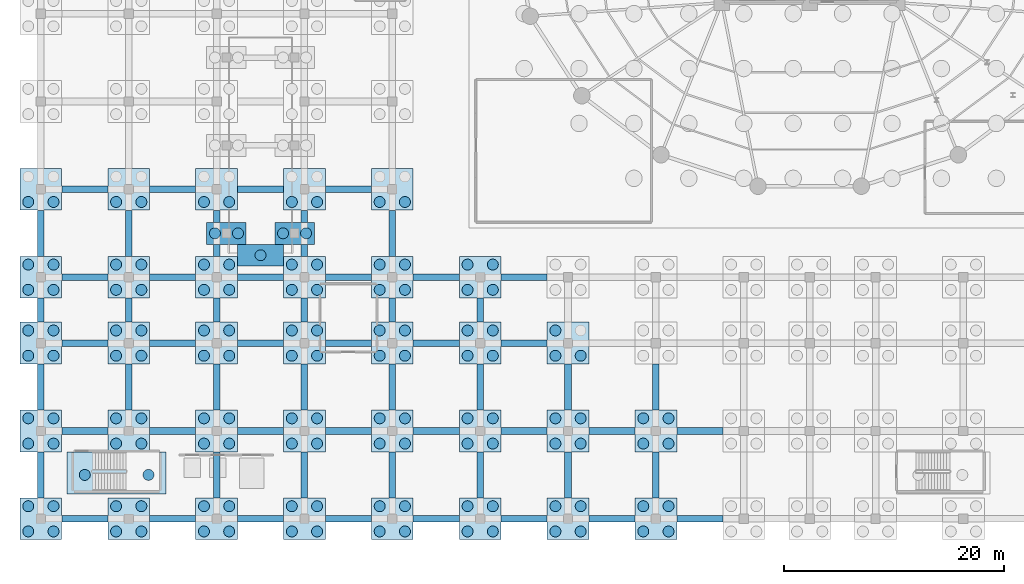
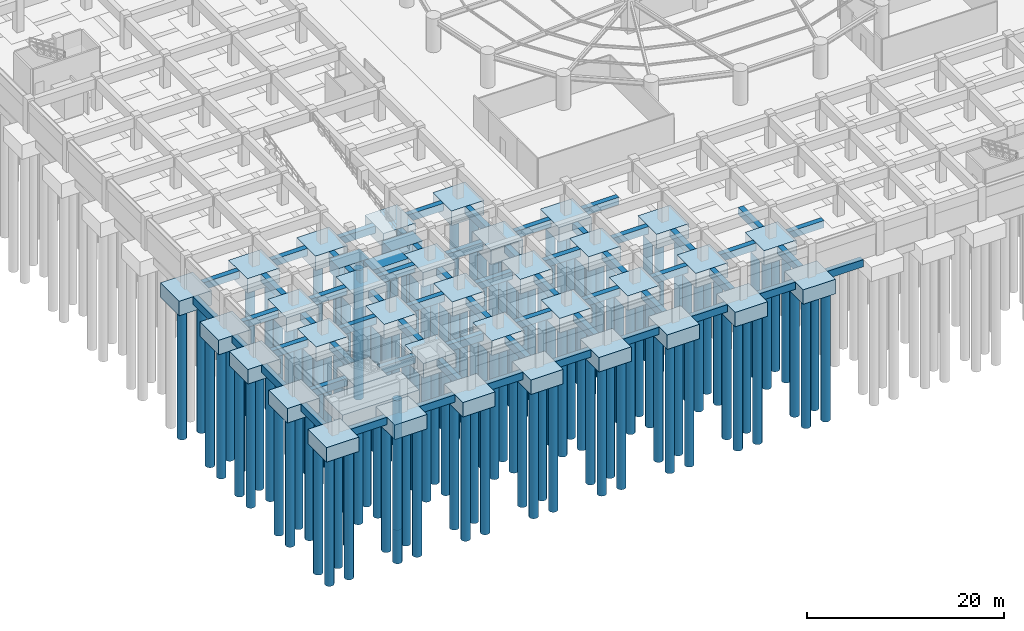
# One storey, part 1 of 23: 132 piles, 98 footings.
"""IFC4 building model written with IfcOpenShell, lengths in metres."""

import ifcopenshell
import ifcopenshell.guid

model = None  # the IFC model being written
_history = None  # IfcOwnerHistory: only IFC2X3 demands one
_inside = {}  # id of a spatial element -> (the spatial element, [elements in it])
_under = {}  # id of a project, library or spatial element -> (it, [spatial elements below it])
_declared = {}  # id of a project -> (the project, [libraries it declares])
_typed = {}  # id of a type object -> (the type object, [elements of that type])
_made_of = {}  # id of a material, layer set ... -> (it, [elements and type objects made of it])


def new_model(schema):
    """Start an empty IFC model of exactly this schema.

    Asked for "IFC4X3", IfcOpenShell would pick the latest addendum, in which some entities
    have other attributes; the version numbers below select the first issue.
    IFC2X3 requires an IfcOwnerHistory on every rooted entity: one is made here for all.
    """
    global model, _history
    if schema == "IFC4X3":
        model = ifcopenshell.file(schema_version=(4, 3, 0, 0))
    else:
        model = ifcopenshell.file(schema=schema)
    _inside.clear()
    _under.clear()
    _declared.clear()
    _typed.clear()
    _made_of.clear()
    _history = None
    if model.schema == "IFC2X3":
        org = make("IfcOrganization", Name="unknown")
        user = make(
            "IfcPersonAndOrganization",
            ThePerson=make("IfcPerson", FamilyName="unknown"),
            TheOrganization=org,
        )
        app = make(
            "IfcApplication",
            ApplicationDeveloper=org,
            Version="unknown",
            ApplicationFullName="unknown",
            ApplicationIdentifier="unknown",
        )
        _history = make(
            "IfcOwnerHistory",
            OwningUser=user,
            OwningApplication=app,
            ChangeAction="ADDED",
            CreationDate=0,
        )
    return model


def make(cls, **values):
    """One entity of the class cls with the attributes given. An attribute that is None is left unset."""
    return model.create_entity(
        cls, **{name: value for name, value in values.items() if value is not None}
    )


def rooted(cls, **values):
    """An entity with a GlobalId (a new one), such as an element, a storey or a relation."""
    return make(cls, GlobalId=ifcopenshell.guid.new(), OwnerHistory=_history, **values)


def si_unit(unit_type, name, prefix=None):
    """IfcSIUnit, for example si_unit("LENGTHUNIT", "METRE", prefix="MILLI")."""
    return make("IfcSIUnit", UnitType=unit_type, Prefix=prefix, Name=name)


def assignment(units):
    """IfcUnitAssignment: the units of a project."""
    return None if units is None else make("IfcUnitAssignment", Units=units)


def point(xyz):
    """IfcCartesianPoint."""
    return None if xyz is None else make("IfcCartesianPoint", Coordinates=xyz)


def direction(xyz):
    """IfcDirection."""
    return None if xyz is None else make("IfcDirection", DirectionRatios=xyz)


def frame(location, z_axis=None, x_axis=None):
    """IfcAxis2Placement3D, a coordinate frame: its origin and axes. An axis left out is left unset."""
    return make(
        "IfcAxis2Placement3D",
        Location=point(location),
        Axis=direction(z_axis),
        RefDirection=direction(x_axis),
    )


def frame_2d(location, x_axis=None):
    """IfcAxis2Placement2D, a coordinate frame in the plane: its origin and x axis."""
    return make(
        "IfcAxis2Placement2D", Location=point(location), RefDirection=direction(x_axis)
    )


def origin():
    """The frame at (0, 0, 0) with its axes left unset."""
    return frame((0.0, 0.0, 0.0))


def origin_2d():
    """The frame at (0, 0) in the plane with its x axis left unset."""
    return frame_2d((0.0, 0.0))


def place(relative_to, where):
    """IfcLocalPlacement: puts the frame where relative to a parent placement (None: the world)."""
    return make(
        "IfcLocalPlacement", PlacementRelTo=relative_to, RelativePlacement=where
    )


def context(
    kind, dimensions, precision=None, world=None, true_north=None, identifier=None
):
    """IfcGeometricRepresentationContext, for example the 3D "Model" context."""
    return make(
        "IfcGeometricRepresentationContext",
        ContextIdentifier=identifier,
        ContextType=kind,
        CoordinateSpaceDimension=dimensions,
        Precision=precision,
        WorldCoordinateSystem=world,
        TrueNorth=true_north,
    )


def subcontext(parent, identifier, kind, view, scale=None):
    """IfcGeometricRepresentationSubContext, for example "Body" below "Model"."""
    return make(
        "IfcGeometricRepresentationSubContext",
        ContextIdentifier=identifier,
        ContextType=kind,
        ParentContext=parent,
        TargetScale=scale,
        TargetView=view,
    )


def project(units=None, contexts=None):
    """IfcProject with its units and contexts."""
    return rooted(
        "IfcProject",
        Name="project",
        RepresentationContexts=contexts,
        UnitsInContext=assignment(units),
    )


def spatial(cls, under=None, at=None, **own):
    """A site, building, storey or space (cls), placed at a placement, below another one or the project."""
    s = rooted(cls, ObjectPlacement=at, **own)
    if under is not None:
        _under.setdefault(under.id(), (under, []))[1].append(s)
    return s


def profile(cls, at=None, kind="AREA", **sizes):
    """A parametric profile (cls). Its sizes go by their IFC names, for example OverallWidth=200.0."""
    return make(cls, ProfileType=kind, Position=at, **sizes)


def rectangle(**sizes):
    """IfcRectangleProfileDef."""
    return profile("IfcRectangleProfileDef", **sizes)


def circle(**sizes):
    """IfcCircleProfileDef."""
    return profile("IfcCircleProfileDef", **sizes)


def extrude(swept, where, along, depth):
    """IfcExtrudedAreaSolid: the profile swept, set in the frame where, extruded along a direction by depth."""
    return make(
        "IfcExtrudedAreaSolid",
        SweptArea=swept,
        Position=where,
        ExtrudedDirection=direction(along),
        Depth=depth,
    )


def shape(context_of_items, identifier, shape_type, items):
    """IfcShapeRepresentation: the items that make up one representation, for example the "Body"."""
    return make(
        "IfcShapeRepresentation",
        ContextOfItems=context_of_items,
        RepresentationIdentifier=identifier,
        RepresentationType=shape_type,
        Items=items,
    )


def source(mapping_origin, context_of_items, identifier, shape_type, items):
    """IfcRepresentationMap: a shape defined once, which mapped items show again and again."""
    return make(
        "IfcRepresentationMap",
        MappingOrigin=mapping_origin,
        MappedRepresentation=shape(context_of_items, identifier, shape_type, items),
    )


def transform(
    local_origin,
    x_axis=None,
    y_axis=None,
    z_axis=None,
    scale=None,
    scale2=None,
    scale3=None,
    uniform=True,
):
    """IfcCartesianTransformationOperator3D, or its non-uniform kind. x_axis, y_axis, z_axis: its Axis1, 2, 3."""
    if uniform:
        return make(
            "IfcCartesianTransformationOperator3D",
            Axis1=direction(x_axis),
            Axis2=direction(y_axis),
            LocalOrigin=point(local_origin),
            Scale=scale,
            Axis3=direction(z_axis),
        )
    return make(
        "IfcCartesianTransformationOperator3DnonUniform",
        Axis1=direction(x_axis),
        Axis2=direction(y_axis),
        LocalOrigin=point(local_origin),
        Scale=scale,
        Axis3=direction(z_axis),
        Scale2=scale2,
        Scale3=scale3,
    )


def mapped(mapping_source, mapping_target):
    """IfcMappedItem: shows the shape of a source again, moved by a transform."""
    return make(
        "IfcMappedItem", MappingSource=mapping_source, MappingTarget=mapping_target
    )


def material(Name=None, Category=None):
    """IfcMaterial."""
    return make("IfcMaterial", Name=Name, Category=Category)


def material_profile(
    of_material, cross_section, Name=None, Category=None, Priority=None
):
    """IfcMaterialProfile: a cross section and its material."""
    return make(
        "IfcMaterialProfile",
        Name=Name,
        Material=of_material,
        Profile=cross_section,
        Priority=Priority,
        Category=Category,
    )


def profile_set(profiles, Name=None, composite=None):
    """IfcMaterialProfileSet."""
    return make(
        "IfcMaterialProfileSet",
        Name=Name,
        MaterialProfiles=profiles,
        CompositeProfile=composite,
    )


def made_of(thing, what):
    """Note that an element or type object is made of a material, layer set ...; save() writes the relation."""
    if what is not None:
        _made_of.setdefault(what.id(), (what, []))[1].append(thing)
    return thing


def type_object(cls, material=None, **own):
    """A type object (cls), such as IfcWallType, which elements share."""
    return made_of(rooted(cls, **own), material)


def element(
    cls,
    number,
    at=None,
    inside=None,
    cuts=None,
    type_object=None,
    material=None,
    context=None,
    identifier="Body",
    shape_type=None,
    held_by="IfcProductDefinitionShape",
    body=None,
    shapes=None,
    **own,
):
    """One element of the class cls, such as IfcWall. Its Tag is "e" and its number.

    at: its placement. inside: the storey or other place that contains it. cuts: it is an
    opening in that element (IfcRelVoidsElement). A single representation is given by context,
    identifier, shape_type and body (its items); several are given by shapes. held_by: the class
    of the entity that holds the representations. save() writes the other relations.
    """
    e = rooted(cls, Tag="e%d" % number, ObjectPlacement=at, **own)
    if body is not None:
        shapes = [shape(context, identifier, shape_type, body)]
    if shapes is not None:
        e.Representation = make(held_by, Representations=shapes)
    if inside is not None:
        _inside.setdefault(inside.id(), (inside, []))[1].append(e)
    if cuts is not None:
        rooted(
            "IfcRelVoidsElement", RelatingBuildingElement=cuts, RelatedOpeningElement=e
        )
    if type_object is not None:
        _typed.setdefault(type_object.id(), (type_object, []))[1].append(e)
    return made_of(e, material)


def aggregate(whole, parts):
    """IfcRelAggregates: a whole, such as a stair, and the parts it consists of."""
    return rooted("IfcRelAggregates", RelatingObject=whole, RelatedObjects=parts)


def save(model, path):
    """Write the relations noted so far, then the file.

    IfcRelAggregates (storeys below a building ...), IfcRelContainedInSpatialStructure (elements
    in a storey), IfcRelDefinesByType, IfcRelAssociatesMaterial and IfcRelDeclares: one each for
    every whole, place, type object, material and project.
    """
    for whole, parts in _under.values():
        aggregate(whole, parts)
    for where, things in _inside.values():
        rooted(
            "IfcRelContainedInSpatialStructure",
            RelatedElements=things,
            RelatingStructure=where,
        )
    for kind, things in _typed.values():
        rooted("IfcRelDefinesByType", RelatedObjects=things, RelatingType=kind)
    for what, things in _made_of.values():
        rooted("IfcRelAssociatesMaterial", RelatedObjects=things, RelatingMaterial=what)
    for by, libraries in _declared.values():
        rooted("IfcRelDeclares", RelatingContext=by, RelatedDefinitions=libraries)
    model.write(path)


model = new_model("IFC4")

# Units and contexts
model_context = context("Model", 3, precision=1e-05, world=origin(), true_north=direction((0.0, 1.0)))
body_context = subcontext(model_context, "Body", "Model", "MODEL_VIEW")
ifc_project = project(units=[si_unit("LENGTHUNIT", "METRE"), si_unit("AREAUNIT", "SQUARE_METRE"), si_unit("VOLUMEUNIT", "CUBIC_METRE"), si_unit("PLANEANGLEUNIT", "RADIAN"), si_unit("MASSUNIT", "GRAM", prefix="KILO")], contexts=[model_context])

# Site, building, storey
site_placement = place(None, origin())
site = spatial("IfcSite", under=ifc_project, at=site_placement, CompositionType="ELEMENT")
building_placement = place(site_placement, origin())
building = spatial("IfcBuilding", under=site, at=building_placement, Name="Kelanora Arch Commons", CompositionType="ELEMENT")
storey_placement = place(building_placement, frame((0.0, 0.0, -8.39990234375)))
storey = spatial("IfcBuildingStorey", under=building, at=storey_placement, Name="B02", CompositionType="ELEMENT", Elevation=-8.39990234375)

# Footings
ifc_material_1 = material(Name="Concrete C40/50", Category="concrete")
footing_type_1 = type_object("IfcFootingType", Name="FTG-MKT-CAP4", PredefinedType="PILE_CAP", material=ifc_material_1)
shared_shape_1 = source(origin(), body_context, "Body", "SweptSolid", [
    extrude(rectangle(XDim=3.800048828125, YDim=3.800048828125, at=origin_2d()), origin(), (0.0, 0.0, 1.0), 1.800048828125),
])
for number, where, z_axis, x_axis, name in (
    (1, (4.0, 4.0, -1.80029296875), (0.0, 0.0, 1.0), (1.0, 0.0, 0.0), "Pile Cap 1-A"),
    (2, (4.0, 12.0, -1.80029296875), (0.0, 0.0, 1.0), (1.0, 0.0, 0.0), "Pile Cap 1-B"),
    (3, (4.0, 20.0, -1.80029296875), (0.0, 0.0, 1.0), (1.0, 0.0, 0.0), "Pile Cap 1-C"),
    (4, (4.0, 26.0, -1.80029296875), (0.0, 0.0, 1.0), (1.0, 0.0, 0.0), "Pile Cap 1-D"),
    (5, (4.0, 34.0, -1.80029296875), (0.0, 0.0, 1.0), (1.0, 0.0, 0.0), "Pile Cap 1-E"),
    (6, (12.0, 4.0, -1.80029296875), (0.0, 0.0, 1.0), (1.0, 0.0, 0.0), "Pile Cap 2-A"),
    (7, (12.0, 12.0, -1.80029296875), (0.0, 0.0, 1.0), (1.0, 0.0, 0.0), "Pile Cap 2-B"),
    (8, (12.0, 20.0, -1.80029296875), (0.0, 0.0, 1.0), (1.0, 0.0, 0.0), "Pile Cap 2-C"),
    (9, (12.0, 26.0, -1.80029296875), (0.0, 0.0, 1.0), (1.0, 0.0, 0.0), "Pile Cap 2-D"),
    (10, (12.0, 34.0, -1.80029296875), (0.0, 0.0, 1.0), (1.0, 0.0, 0.0), "Pile Cap 2-E"),
    (11, (20.0, 4.0, -1.80029296875), (0.0, 0.0, 1.0), (1.0, 0.0, 0.0), "Pile Cap 3-A"),
    (12, (20.0, 12.0, -1.80029296875), (0.0, 0.0, 1.0), (1.0, 0.0, 0.0), "Pile Cap 3-B"),
    (13, (20.0, 20.0, -1.80029296875), (0.0, 0.0, 1.0), (1.0, 0.0, 0.0), "Pile Cap 3-C"),
    (14, (20.0, 26.0, -1.80029296875), (0.0, 0.0, 1.0), (1.0, 0.0, 0.0), "Pile Cap 3-D"),
    (15, (20.0, 34.0, -1.80029296875), (0.0, 0.0, 1.0), (1.0, 0.0, 0.0), "Pile Cap 3-E"),
    (16, (28.0, 4.0, -1.80029296875), (0.0, 0.0, 1.0), (1.0, 0.0, 0.0), "Pile Cap 4-A"),
    (17, (28.0, 12.0, -1.80029296875), (0.0, 0.0, 1.0), (1.0, 0.0, 0.0), "Pile Cap 4-B"),
    (18, (28.0, 20.0, -1.80029296875), (0.0, 0.0, 1.0), (1.0, 0.0, 0.0), "Pile Cap 4-C"),
    (19, (28.0, 26.0, -1.80029296875), (0.0, 0.0, 1.0), (1.0, 0.0, 0.0), "Pile Cap 4-D"),
    (20, (28.0, 34.0, -1.80029296875), (0.0, 0.0, 1.0), (1.0, 0.0, 0.0), "Pile Cap 4-E"),
    (21, (36.0, 4.0, -1.80029296875), (0.0, 0.0, 1.0), (1.0, 0.0, 0.0), "Pile Cap 5-A"),
    (22, (36.0, 12.0, -1.80029296875), (0.0, 0.0, 1.0), (1.0, 0.0, 0.0), "Pile Cap 5-B"),
    (23, (36.0, 20.0, -1.80029296875), (0.0, 0.0, 1.0), (1.0, 0.0, 0.0), "Pile Cap 5-C"),
    (24, (36.0, 26.0, -1.80029296875), (0.0, 0.0, 1.0), (1.0, 0.0, 0.0), "Pile Cap 5-D"),
    (25, (36.0, 34.0, -1.80029296875), (0.0, 0.0, 1.0), (1.0, 0.0, 0.0), "Pile Cap 5-E"),
    (26, (44.0, 4.0, -1.80029296875), (0.0, 0.0, 1.0), (1.0, 0.0, 0.0), "Pile Cap 6-A"),
    (27, (44.0, 12.0, -1.80029296875), (0.0, 0.0, 1.0), (1.0, 0.0, 0.0), "Pile Cap 6-B"),
    (28, (44.0, 20.0, -1.80029296875), (0.0, 0.0, 1.0), (1.0, 0.0, 0.0), "Pile Cap 6-C"),
    (29, (44.0, 26.0, -1.80029296875), (0.0, 0.0, 1.0), (1.0, 0.0, 0.0), "Pile Cap 6-D"),
    (30, (52.0, 4.0, -1.80029296875), (0.0, 0.0, 1.0), (1.0, 0.0, 0.0), "Pile Cap 7-A"),
    (31, (52.0, 12.0, -1.80029296875), (0.0, 0.0, 1.0), (1.0, 0.0, 0.0), "Pile Cap 7-B"),
    (32, (52.0, 20.0, -1.80029296875), (0.0, 0.0, 1.0), (1.0, 0.0, 0.0), "Pile Cap 7-C"),
    (33, (60.0, 4.0, -1.80029296875), (0.0, 0.0, 1.0), (1.0, 0.0, 0.0), "Pile Cap 8-A"),
    (34, (60.0, 12.0, -1.80029296875), (0.0, 0.0, 1.0), (1.0, 0.0, 0.0), "Pile Cap 8-B"),
):
    element("IfcFooting", number, at=place(storey_placement, frame(where, z_axis=z_axis, x_axis=x_axis)), inside=storey, type_object=footing_type_1, Name=name, PredefinedType="PILE_CAP", context=body_context, shape_type="MappedRepresentation", body=[
        mapped(shared_shape_1, transform((0.0, 0.0, 0.0), scale=1.0)),
    ])

# Piles
ifc_material_2 = material(Name="Concrete C45/55", Category="concrete")
ifc_material_profile = material_profile(ifc_material_2, circle(Radius=0.5, at=origin_2d()), Name="PILE1000")
ifc_profile_set = profile_set([ifc_material_profile], Name="Concrete C45/55")
pile_type = type_object("IfcPileType", Name="PILE-MKT-1000", PredefinedType="BORED", material=ifc_profile_set)
shared_shape_2 = source(origin(), body_context, "Body", "SweptSolid", [
    extrude(circle(Radius=0.5, at=origin_2d()), origin(), (0.0, 0.0, 1.0), 15.89990234375),
])
for number, where, z_axis, x_axis, name in (
    (35, (2.85009765625, 2.85009765625, -1.7001953125), (0.0, 0.0, -1.0), (1.0, 0.0, 0.0), "Market Bored Pile 1-A-1"),
    (36, (5.14990234375, 2.85009765625, -1.7001953125), (0.0, 0.0, -1.0), (1.0, 0.0, 0.0), "Market Bored Pile 1-A-2"),
    (37, (5.14990234375, 5.14990234375, -1.7001953125), (0.0, 0.0, -1.0), (1.0, 0.0, 0.0), "Market Bored Pile 1-A-3"),
    (38, (2.85009765625, 5.14990234375, -1.7001953125), (0.0, 0.0, -1.0), (1.0, 0.0, 0.0), "Market Bored Pile 1-A-4"),
    (39, (2.85009765625, 10.85009765625, -1.7001953125), (0.0, 0.0, -1.0), (1.0, 0.0, 0.0), "Market Bored Pile 1-B-1"),
    (40, (5.14990234375, 10.85009765625, -1.7001953125), (0.0, 0.0, -1.0), (1.0, 0.0, 0.0), "Market Bored Pile 1-B-2"),
    (41, (5.14990234375, 13.14990234375, -1.7001953125), (0.0, 0.0, -1.0), (1.0, 0.0, 0.0), "Market Bored Pile 1-B-3"),
    (42, (2.85009765625, 13.14990234375, -1.7001953125), (0.0, 0.0, -1.0), (1.0, 0.0, 0.0), "Market Bored Pile 1-B-4"),
    (43, (2.85009765625, 18.85009765625, -1.7001953125), (0.0, 0.0, -1.0), (1.0, 0.0, 0.0), "Market Bored Pile 1-C-1"),
    (44, (5.14990234375, 18.85009765625, -1.7001953125), (0.0, 0.0, -1.0), (1.0, 0.0, 0.0), "Market Bored Pile 1-C-2"),
    (45, (5.14990234375, 21.14990234375, -1.7001953125), (0.0, 0.0, -1.0), (1.0, 0.0, 0.0), "Market Bored Pile 1-C-3"),
    (46, (2.85009765625, 21.14990234375, -1.7001953125), (0.0, 0.0, -1.0), (1.0, 0.0, 0.0), "Market Bored Pile 1-C-4"),
    (47, (2.85009765625, 24.85009765625, -1.7001953125), (0.0, 0.0, -1.0), (1.0, 0.0, 0.0), "Market Bored Pile 1-D-1"),
    (48, (5.14990234375, 24.85009765625, -1.7001953125), (0.0, 0.0, -1.0), (1.0, 0.0, 0.0), "Market Bored Pile 1-D-2"),
    (49, (5.14990234375, 27.14990234375, -1.7001953125), (0.0, 0.0, -1.0), (1.0, 0.0, 0.0), "Market Bored Pile 1-D-3"),
    (50, (2.85009765625, 27.14990234375, -1.7001953125), (0.0, 0.0, -1.0), (1.0, 0.0, 0.0), "Market Bored Pile 1-D-4"),
    (51, (2.85009765625, 32.85009765625, -1.7001953125), (0.0, 0.0, -1.0), (1.0, 0.0, 0.0), "Market Bored Pile 1-E-1"),
    (52, (5.14990234375, 32.85009765625, -1.7001953125), (0.0, 0.0, -1.0), (1.0, 0.0, 0.0), "Market Bored Pile 1-E-2"),
    (53, (10.85009765625, 2.85009765625, -1.7001953125), (0.0, 0.0, -1.0), (1.0, 0.0, 0.0), "Market Bored Pile 2-A-1"),
    (54, (13.14990234375, 2.85009765625, -1.7001953125), (0.0, 0.0, -1.0), (1.0, 0.0, 0.0), "Market Bored Pile 2-A-2"),
    (55, (13.14990234375, 5.14990234375, -1.7001953125), (0.0, 0.0, -1.0), (1.0, 0.0, 0.0), "Market Bored Pile 2-A-3"),
    (56, (10.85009765625, 5.14990234375, -1.7001953125), (0.0, 0.0, -1.0), (1.0, 0.0, 0.0), "Market Bored Pile 2-A-4"),
    (57, (10.85009765625, 10.85009765625, -1.7001953125), (0.0, 0.0, -1.0), (1.0, 0.0, 0.0), "Market Bored Pile 2-B-1"),
    (58, (13.14990234375, 10.85009765625, -1.7001953125), (0.0, 0.0, -1.0), (1.0, 0.0, 0.0), "Market Bored Pile 2-B-2"),
    (59, (13.14990234375, 13.14990234375, -1.7001953125), (0.0, 0.0, -1.0), (1.0, 0.0, 0.0), "Market Bored Pile 2-B-3"),
    (60, (10.85009765625, 13.14990234375, -1.7001953125), (0.0, 0.0, -1.0), (1.0, 0.0, 0.0), "Market Bored Pile 2-B-4"),
    (61, (10.85009765625, 18.85009765625, -1.7001953125), (0.0, 0.0, -1.0), (1.0, 0.0, 0.0), "Market Bored Pile 2-C-1"),
    (62, (13.14990234375, 18.85009765625, -1.7001953125), (0.0, 0.0, -1.0), (1.0, 0.0, 0.0), "Market Bored Pile 2-C-2"),
    (63, (13.14990234375, 21.14990234375, -1.7001953125), (0.0, 0.0, -1.0), (1.0, 0.0, 0.0), "Market Bored Pile 2-C-3"),
    (64, (10.85009765625, 21.14990234375, -1.7001953125), (0.0, 0.0, -1.0), (1.0, 0.0, 0.0), "Market Bored Pile 2-C-4"),
    (65, (10.85009765625, 24.85009765625, -1.7001953125), (0.0, 0.0, -1.0), (1.0, 0.0, 0.0), "Market Bored Pile 2-D-1"),
    (66, (13.14990234375, 24.85009765625, -1.7001953125), (0.0, 0.0, -1.0), (1.0, 0.0, 0.0), "Market Bored Pile 2-D-2"),
    (67, (13.14990234375, 27.14990234375, -1.7001953125), (0.0, 0.0, -1.0), (1.0, 0.0, 0.0), "Market Bored Pile 2-D-3"),
    (68, (10.85009765625, 27.14990234375, -1.7001953125), (0.0, 0.0, -1.0), (1.0, 0.0, 0.0), "Market Bored Pile 2-D-4"),
    (69, (10.85009765625, 32.85009765625, -1.7001953125), (0.0, 0.0, -1.0), (1.0, 0.0, 0.0), "Market Bored Pile 2-E-1"),
    (70, (13.14990234375, 32.85009765625, -1.7001953125), (0.0, 0.0, -1.0), (1.0, 0.0, 0.0), "Market Bored Pile 2-E-2"),
    (71, (18.85009765625, 2.85009765625, -1.7001953125), (0.0, 0.0, -1.0), (1.0, 0.0, 0.0), "Market Bored Pile 3-A-1"),
    (72, (21.14990234375, 2.85009765625, -1.7001953125), (0.0, 0.0, -1.0), (1.0, 0.0, 0.0), "Market Bored Pile 3-A-2"),
    (73, (21.14990234375, 5.14990234375, -1.7001953125), (0.0, 0.0, -1.0), (1.0, 0.0, 0.0), "Market Bored Pile 3-A-3"),
    (74, (18.85009765625, 5.14990234375, -1.7001953125), (0.0, 0.0, -1.0), (1.0, 0.0, 0.0), "Market Bored Pile 3-A-4"),
    (75, (18.85009765625, 10.85009765625, -1.7001953125), (0.0, 0.0, -1.0), (1.0, 0.0, 0.0), "Market Bored Pile 3-B-1"),
    (76, (21.14990234375, 10.85009765625, -1.7001953125), (0.0, 0.0, -1.0), (1.0, 0.0, 0.0), "Market Bored Pile 3-B-2"),
    (77, (21.14990234375, 13.14990234375, -1.7001953125), (0.0, 0.0, -1.0), (1.0, 0.0, 0.0), "Market Bored Pile 3-B-3"),
    (78, (18.85009765625, 13.14990234375, -1.7001953125), (0.0, 0.0, -1.0), (1.0, 0.0, 0.0), "Market Bored Pile 3-B-4"),
    (79, (18.85009765625, 18.85009765625, -1.7001953125), (0.0, 0.0, -1.0), (1.0, 0.0, 0.0), "Market Bored Pile 3-C-1"),
    (80, (21.14990234375, 18.85009765625, -1.7001953125), (0.0, 0.0, -1.0), (1.0, 0.0, 0.0), "Market Bored Pile 3-C-2"),
    (81, (21.14990234375, 21.14990234375, -1.7001953125), (0.0, 0.0, -1.0), (1.0, 0.0, 0.0), "Market Bored Pile 3-C-3"),
    (82, (18.85009765625, 21.14990234375, -1.7001953125), (0.0, 0.0, -1.0), (1.0, 0.0, 0.0), "Market Bored Pile 3-C-4"),
    (83, (18.85009765625, 24.85009765625, -1.7001953125), (0.0, 0.0, -1.0), (1.0, 0.0, 0.0), "Market Bored Pile 3-D-1"),
    (84, (21.14990234375, 24.85009765625, -1.7001953125), (0.0, 0.0, -1.0), (1.0, 0.0, 0.0), "Market Bored Pile 3-D-2"),
    (85, (21.14990234375, 27.14990234375, -1.7001953125), (0.0, 0.0, -1.0), (1.0, 0.0, 0.0), "Market Bored Pile 3-D-3"),
    (86, (18.85009765625, 27.14990234375, -1.7001953125), (0.0, 0.0, -1.0), (1.0, 0.0, 0.0), "Market Bored Pile 3-D-4"),
    (87, (18.85009765625, 32.85009765625, -1.7001953125), (0.0, 0.0, -1.0), (1.0, 0.0, 0.0), "Market Bored Pile 3-E-1"),
    (88, (21.14990234375, 32.85009765625, -1.7001953125), (0.0, 0.0, -1.0), (1.0, 0.0, 0.0), "Market Bored Pile 3-E-2"),
    (89, (26.85009765625, 2.85009765625, -1.7001953125), (0.0, 0.0, -1.0), (1.0, 0.0, 0.0), "Market Bored Pile 4-A-1"),
    (90, (29.14990234375, 2.85009765625, -1.7001953125), (0.0, 0.0, -1.0), (1.0, 0.0, 0.0), "Market Bored Pile 4-A-2"),
    (91, (29.14990234375, 5.14990234375, -1.7001953125), (0.0, 0.0, -1.0), (1.0, 0.0, 0.0), "Market Bored Pile 4-A-3"),
    (92, (26.85009765625, 5.14990234375, -1.7001953125), (0.0, 0.0, -1.0), (1.0, 0.0, 0.0), "Market Bored Pile 4-A-4"),
    (93, (26.85009765625, 10.85009765625, -1.7001953125), (0.0, 0.0, -1.0), (1.0, 0.0, 0.0), "Market Bored Pile 4-B-1"),
    (94, (29.14990234375, 10.85009765625, -1.7001953125), (0.0, 0.0, -1.0), (1.0, 0.0, 0.0), "Market Bored Pile 4-B-2"),
    (95, (29.14990234375, 13.14990234375, -1.7001953125), (0.0, 0.0, -1.0), (1.0, 0.0, 0.0), "Market Bored Pile 4-B-3"),
    (96, (26.85009765625, 13.14990234375, -1.7001953125), (0.0, 0.0, -1.0), (1.0, 0.0, 0.0), "Market Bored Pile 4-B-4"),
    (97, (26.85009765625, 18.85009765625, -1.7001953125), (0.0, 0.0, -1.0), (1.0, 0.0, 0.0), "Market Bored Pile 4-C-1"),
    (98, (29.14990234375, 18.85009765625, -1.7001953125), (0.0, 0.0, -1.0), (1.0, 0.0, 0.0), "Market Bored Pile 4-C-2"),
    (99, (29.14990234375, 21.14990234375, -1.7001953125), (0.0, 0.0, -1.0), (1.0, 0.0, 0.0), "Market Bored Pile 4-C-3"),
    (100, (26.85009765625, 21.14990234375, -1.7001953125), (0.0, 0.0, -1.0), (1.0, 0.0, 0.0), "Market Bored Pile 4-C-4"),
    (101, (26.85009765625, 24.85009765625, -1.7001953125), (0.0, 0.0, -1.0), (1.0, 0.0, 0.0), "Market Bored Pile 4-D-1"),
    (102, (29.14990234375, 24.85009765625, -1.7001953125), (0.0, 0.0, -1.0), (1.0, 0.0, 0.0), "Market Bored Pile 4-D-2"),
    (103, (29.14990234375, 27.14990234375, -1.7001953125), (0.0, 0.0, -1.0), (1.0, 0.0, 0.0), "Market Bored Pile 4-D-3"),
    (104, (26.85009765625, 27.14990234375, -1.7001953125), (0.0, 0.0, -1.0), (1.0, 0.0, 0.0), "Market Bored Pile 4-D-4"),
    (105, (26.85009765625, 32.85009765625, -1.7001953125), (0.0, 0.0, -1.0), (1.0, 0.0, 0.0), "Market Bored Pile 4-E-1"),
    (106, (29.14990234375, 32.85009765625, -1.7001953125), (0.0, 0.0, -1.0), (1.0, 0.0, 0.0), "Market Bored Pile 4-E-2"),
    (107, (34.85009765625, 2.85009765625, -1.7001953125), (0.0, 0.0, -1.0), (1.0, 0.0, 0.0), "Market Bored Pile 5-A-1"),
    (108, (37.14990234375, 2.85009765625, -1.7001953125), (0.0, 0.0, -1.0), (1.0, 0.0, 0.0), "Market Bored Pile 5-A-2"),
    (109, (37.14990234375, 5.14990234375, -1.7001953125), (0.0, 0.0, -1.0), (1.0, 0.0, 0.0), "Market Bored Pile 5-A-3"),
    (110, (34.85009765625, 5.14990234375, -1.7001953125), (0.0, 0.0, -1.0), (1.0, 0.0, 0.0), "Market Bored Pile 5-A-4"),
    (111, (34.85009765625, 10.85009765625, -1.7001953125), (0.0, 0.0, -1.0), (1.0, 0.0, 0.0), "Market Bored Pile 5-B-1"),
    (112, (37.14990234375, 10.85009765625, -1.7001953125), (0.0, 0.0, -1.0), (1.0, 0.0, 0.0), "Market Bored Pile 5-B-2"),
    (113, (37.14990234375, 13.14990234375, -1.7001953125), (0.0, 0.0, -1.0), (1.0, 0.0, 0.0), "Market Bored Pile 5-B-3"),
    (114, (34.85009765625, 13.14990234375, -1.7001953125), (0.0, 0.0, -1.0), (1.0, 0.0, 0.0), "Market Bored Pile 5-B-4"),
    (115, (34.85009765625, 18.85009765625, -1.7001953125), (0.0, 0.0, -1.0), (1.0, 0.0, 0.0), "Market Bored Pile 5-C-1"),
    (116, (37.14990234375, 18.85009765625, -1.7001953125), (0.0, 0.0, -1.0), (1.0, 0.0, 0.0), "Market Bored Pile 5-C-2"),
    (117, (37.14990234375, 21.14990234375, -1.7001953125), (0.0, 0.0, -1.0), (1.0, 0.0, 0.0), "Market Bored Pile 5-C-3"),
    (118, (34.85009765625, 21.14990234375, -1.7001953125), (0.0, 0.0, -1.0), (1.0, 0.0, 0.0), "Market Bored Pile 5-C-4"),
    (119, (34.85009765625, 24.85009765625, -1.7001953125), (0.0, 0.0, -1.0), (1.0, 0.0, 0.0), "Market Bored Pile 5-D-1"),
    (120, (37.14990234375, 24.85009765625, -1.7001953125), (0.0, 0.0, -1.0), (1.0, 0.0, 0.0), "Market Bored Pile 5-D-2"),
    (121, (37.14990234375, 27.14990234375, -1.7001953125), (0.0, 0.0, -1.0), (1.0, 0.0, 0.0), "Market Bored Pile 5-D-3"),
    (122, (34.85009765625, 27.14990234375, -1.7001953125), (0.0, 0.0, -1.0), (1.0, 0.0, 0.0), "Market Bored Pile 5-D-4"),
    (123, (34.85009765625, 32.85009765625, -1.7001953125), (0.0, 0.0, -1.0), (1.0, 0.0, 0.0), "Market Bored Pile 5-E-1"),
    (124, (37.14990234375, 32.85009765625, -1.7001953125), (0.0, 0.0, -1.0), (1.0, 0.0, 0.0), "Market Bored Pile 5-E-2"),
    (125, (42.85009765625, 2.85009765625, -1.7001953125), (0.0, 0.0, -1.0), (1.0, 0.0, 0.0), "Market Bored Pile 6-A-1"),
    (126, (45.14990234375, 2.85009765625, -1.7001953125), (0.0, 0.0, -1.0), (1.0, 0.0, 0.0), "Market Bored Pile 6-A-2"),
    (127, (45.14990234375, 5.14990234375, -1.7001953125), (0.0, 0.0, -1.0), (1.0, 0.0, 0.0), "Market Bored Pile 6-A-3"),
    (128, (42.85009765625, 5.14990234375, -1.7001953125), (0.0, 0.0, -1.0), (1.0, 0.0, 0.0), "Market Bored Pile 6-A-4"),
    (129, (42.85009765625, 10.85009765625, -1.7001953125), (0.0, 0.0, -1.0), (1.0, 0.0, 0.0), "Market Bored Pile 6-B-1"),
    (130, (45.14990234375, 10.85009765625, -1.7001953125), (0.0, 0.0, -1.0), (1.0, 0.0, 0.0), "Market Bored Pile 6-B-2"),
    (131, (45.14990234375, 13.14990234375, -1.7001953125), (0.0, 0.0, -1.0), (1.0, 0.0, 0.0), "Market Bored Pile 6-B-3"),
    (132, (42.85009765625, 13.14990234375, -1.7001953125), (0.0, 0.0, -1.0), (1.0, 0.0, 0.0), "Market Bored Pile 6-B-4"),
    (133, (42.85009765625, 18.85009765625, -1.7001953125), (0.0, 0.0, -1.0), (1.0, 0.0, 0.0), "Market Bored Pile 6-C-1"),
    (134, (45.14990234375, 18.85009765625, -1.7001953125), (0.0, 0.0, -1.0), (1.0, 0.0, 0.0), "Market Bored Pile 6-C-2"),
    (135, (45.14990234375, 21.14990234375, -1.7001953125), (0.0, 0.0, -1.0), (1.0, 0.0, 0.0), "Market Bored Pile 6-C-3"),
    (136, (42.85009765625, 21.14990234375, -1.7001953125), (0.0, 0.0, -1.0), (1.0, 0.0, 0.0), "Market Bored Pile 6-C-4"),
    (137, (42.85009765625, 24.85009765625, -1.7001953125), (0.0, 0.0, -1.0), (1.0, 0.0, 0.0), "Market Bored Pile 6-D-1"),
    (138, (45.14990234375, 24.85009765625, -1.7001953125), (0.0, 0.0, -1.0), (1.0, 0.0, 0.0), "Market Bored Pile 6-D-2"),
    (139, (45.14990234375, 27.14990234375, -1.7001953125), (0.0, 0.0, -1.0), (1.0, 0.0, 0.0), "Market Bored Pile 6-D-3"),
    (140, (42.85009765625, 27.14990234375, -1.7001953125), (0.0, 0.0, -1.0), (1.0, 0.0, 0.0), "Market Bored Pile 6-D-4"),
    (141, (50.85009765625, 2.85009765625, -1.7001953125), (0.0, 0.0, -1.0), (1.0, 0.0, 0.0), "Market Bored Pile 7-A-1"),
    (142, (53.14990234375, 2.85009765625, -1.7001953125), (0.0, 0.0, -1.0), (1.0, 0.0, 0.0), "Market Bored Pile 7-A-2"),
    (143, (53.14990234375, 5.14990234375, -1.7001953125), (0.0, 0.0, -1.0), (1.0, 0.0, 0.0), "Market Bored Pile 7-A-3"),
    (144, (50.85009765625, 5.14990234375, -1.7001953125), (0.0, 0.0, -1.0), (1.0, 0.0, 0.0), "Market Bored Pile 7-A-4"),
    (145, (50.85009765625, 10.85009765625, -1.7001953125), (0.0, 0.0, -1.0), (1.0, 0.0, 0.0), "Market Bored Pile 7-B-1"),
    (146, (53.14990234375, 10.85009765625, -1.7001953125), (0.0, 0.0, -1.0), (1.0, 0.0, 0.0), "Market Bored Pile 7-B-2"),
    (147, (53.14990234375, 13.14990234375, -1.7001953125), (0.0, 0.0, -1.0), (1.0, 0.0, 0.0), "Market Bored Pile 7-B-3"),
    (148, (50.85009765625, 13.14990234375, -1.7001953125), (0.0, 0.0, -1.0), (1.0, 0.0, 0.0), "Market Bored Pile 7-B-4"),
    (149, (50.85009765625, 18.85009765625, -1.7001953125), (0.0, 0.0, -1.0), (1.0, 0.0, 0.0), "Market Bored Pile 7-C-1"),
    (150, (53.14990234375, 18.85009765625, -1.7001953125), (0.0, 0.0, -1.0), (1.0, 0.0, 0.0), "Market Bored Pile 7-C-2"),
    (151, (50.85009765625, 21.14990234375, -1.7001953125), (0.0, 0.0, -1.0), (1.0, 0.0, 0.0), "Market Bored Pile 7-C-4"),
    (152, (58.85009765625, 2.85009765625, -1.7001953125), (0.0, 0.0, -1.0), (1.0, 0.0, 0.0), "Market Bored Pile 8-A-1"),
    (153, (61.14990234375, 2.85009765625, -1.7001953125), (0.0, 0.0, -1.0), (1.0, 0.0, 0.0), "Market Bored Pile 8-A-2"),
    (154, (61.14990234375, 5.14990234375, -1.7001953125), (0.0, 0.0, -1.0), (1.0, 0.0, 0.0), "Market Bored Pile 8-A-3"),
    (155, (58.85009765625, 5.14990234375, -1.7001953125), (0.0, 0.0, -1.0), (1.0, 0.0, 0.0), "Market Bored Pile 8-A-4"),
    (156, (58.85009765625, 10.85009765625, -1.7001953125), (0.0, 0.0, -1.0), (1.0, 0.0, 0.0), "Market Bored Pile 8-B-1"),
    (157, (61.14990234375, 10.85009765625, -1.7001953125), (0.0, 0.0, -1.0), (1.0, 0.0, 0.0), "Market Bored Pile 8-B-2"),
    (158, (61.14990234375, 13.14990234375, -1.7001953125), (0.0, 0.0, -1.0), (1.0, 0.0, 0.0), "Market Bored Pile 8-B-3"),
    (159, (58.85009765625, 13.14990234375, -1.7001953125), (0.0, 0.0, -1.0), (1.0, 0.0, 0.0), "Market Bored Pile 8-B-4"),
):
    element("IfcPile", number, at=place(storey_placement, frame(where, z_axis=z_axis, x_axis=x_axis)), inside=storey, type_object=pile_type, Name=name, PredefinedType="BORED", context=body_context, shape_type="MappedRepresentation", body=[
        mapped(shared_shape_2, transform((0.0, 0.0, 0.0), scale=1.0)),
    ])

# Footings
footing_type_2 = type_object("IfcFootingType", Name="FTG-MKT-CAP2", PredefinedType="PILE_CAP", material=ifc_material_1)
shared_shape_3 = source(origin(), body_context, "Body", "SweptSolid", [
    extrude(rectangle(XDim=3.60009765625, YDim=2.0, at=origin_2d()), origin(), (0.0, 0.0, 1.0), 1.60009765625),
])
for number, where, z_axis, x_axis, name in (
    (160, (20.89990234375, 30.0, -1.60009765625), (0.0, 0.0, 1.0), (1.0, 0.0, 0.0), "Vehicle Ramp Support Pile Cap SW"),
    (161, (27.10009765625, 30.0, -1.60009765625), (0.0, 0.0, 1.0), (1.0, 0.0, 0.0), "Vehicle Ramp Support Pile Cap SE"),
):
    element("IfcFooting", number, at=place(storey_placement, frame(where, z_axis=z_axis, x_axis=x_axis)), inside=storey, type_object=footing_type_2, Name=name, PredefinedType="PILE_CAP", context=body_context, shape_type="MappedRepresentation", body=[
        mapped(shared_shape_3, transform((0.0, 0.0, 0.0), scale=1.0)),
    ])

# Piles
shared_shape_4 = source(origin(), body_context, "Body", "SweptSolid", [
    extrude(circle(Radius=0.5, at=origin_2d()), origin(), (0.0, 0.0, 1.0), 16.10009765625),
])
for number, where, z_axis, x_axis, name in (
    (162, (19.85009765625, 30.0, -1.5), (0.0, 0.0, -1.0), (1.0, 0.0, 0.0), "Vehicle Ramp Bored Pile SW-1"),
    (163, (21.949951171875, 30.0, -1.5), (0.0, 0.0, -1.0), (1.0, 0.0, 0.0), "Vehicle Ramp Bored Pile SW-2"),
    (164, (26.050048828125, 30.0, -1.5), (0.0, 0.0, -1.0), (1.0, 0.0, 0.0), "Vehicle Ramp Bored Pile SE-1"),
    (165, (28.14990234375, 30.0, -1.5), (0.0, 0.0, -1.0), (1.0, 0.0, 0.0), "Vehicle Ramp Bored Pile SE-2"),
    (166, (8.0, 8.0, -1.5), (0.0, 0.0, -1.0), (1.0, 0.0, 0.0), "Strip Footing Bored Pile ST-M1-S-1"),
    (167, (13.800048828125, 8.0, -1.5), (0.0, 0.0, -1.0), (1.0, 0.0, 0.0), "Strip Footing Bored Pile ST-M1-S-2"),
    (168, (24.0, 28.0, -1.5), (0.0, 0.0, -1.0), (1.0, 0.0, 0.0), "Strip Footing Bored Pile VEH-RMP-1"),
):
    element("IfcPile", number, at=place(storey_placement, frame(where, z_axis=z_axis, x_axis=x_axis)), inside=storey, type_object=pile_type, Name=name, PredefinedType="BORED", context=body_context, shape_type="MappedRepresentation", body=[
        mapped(shared_shape_4, transform((0.0, 0.0, 0.0), scale=1.0)),
    ])

# Footings
footing_type_3 = type_object("IfcFootingType", Name="FTG-RET-STRIP", PredefinedType="STRIP_FOOTING", material=ifc_material_1)
shared_shape_5 = source(origin(), body_context, "Body", "SweptSolid", [
    extrude(rectangle(XDim=9.0, YDim=3.800048828125, at=origin_2d()), origin(), (0.0, 0.0, 1.0), 1.60009765625),
])
footing_1_placement = place(storey_placement, frame((10.89990234375, 8.179931640625, -1.60009765625), z_axis=(0.0, 0.0, 1.0), x_axis=(1.0, 0.0, 0.0)))
element("IfcFooting", 169, at=footing_1_placement, inside=storey, type_object=footing_type_3, Name="Ramp/Stair Strip Footing ST-M1-S", PredefinedType="STRIP_FOOTING", context=body_context, shape_type="MappedRepresentation", body=[
    mapped(shared_shape_5, transform((0.0, 0.0, 0.0), scale=1.0)),
])
shared_shape_6 = source(origin(), body_context, "Body", "SweptSolid", [
    extrude(rectangle(XDim=4.159912109375, YDim=1.9599609375, at=origin_2d()), origin(), (0.0, 0.0, 1.0), 1.60009765625),
])
footing_2_placement = place(storey_placement, frame((24.0, 28.0, -1.60009765625), z_axis=(0.0, 0.0, 1.0), x_axis=(1.0, 0.0, 0.0)))
element("IfcFooting", 170, at=footing_2_placement, inside=storey, type_object=footing_type_3, Name="Ramp/Stair Strip Footing VEH-RMP", PredefinedType="STRIP_FOOTING", context=body_context, shape_type="MappedRepresentation", body=[
    mapped(shared_shape_6, transform((0.0, 0.0, 0.0), scale=1.0)),
])
footing_type_4 = type_object("IfcFootingType", Name="FTG-TIE-BEAM", PredefinedType="FOOTING_BEAM", material=ifc_material_1)
shared_shape_7 = source(origin(), body_context, "Body", "SweptSolid", [
    extrude(rectangle(XDim=4.194091796875, YDim=0.60009765625, at=origin_2d()), origin(), (0.0, 0.0, 1.0), 0.89990234375),
])
for number, where, z_axis, x_axis, name in (
    (171, (8.0, 4.0, -0.900146484375), (0.0, 0.0, 1.0), (1.0, 0.0, 0.0), "Ground Tie Beam 001"),
    (172, (4.0, 8.0, -0.900146484375), (0.0, 0.0, 1.0), (0.0, 1.0, 0.0), "Ground Tie Beam 002"),
    (173, (8.0, 12.0, -0.900146484375), (0.0, 0.0, 1.0), (1.0, 0.0, 0.0), "Ground Tie Beam 003"),
    (174, (4.0, 16.0, -0.900146484375), (0.0, 0.0, 1.0), (0.0, 1.0, 0.0), "Ground Tie Beam 004"),
    (175, (8.0, 20.0, -0.900146484375), (0.0, 0.0, 1.0), (1.0, 0.0, 0.0), "Ground Tie Beam 005"),
    (176, (8.0, 26.0, -0.900146484375), (0.0, 0.0, 1.0), (1.0, 0.0, 0.0), "Ground Tie Beam 007"),
    (177, (4.0, 30.0, -0.900146484375), (0.0, 0.0, 1.0), (0.0, 1.0, 0.0), "Ground Tie Beam 008"),
    (178, (8.0, 34.0, -0.900146484375), (0.0, 0.0, 1.0), (1.0, 0.0, 0.0), "Ground Tie Beam 009"),
    (179, (16.0, 4.0, -0.900146484375), (0.0, 0.0, 1.0), (1.0, 0.0, 0.0), "Ground Tie Beam 024"),
    (180, (16.0, 12.0, -0.900146484375), (0.0, 0.0, 1.0), (1.0, 0.0, 0.0), "Ground Tie Beam 025"),
    (181, (12.0, 16.0, -0.900146484375), (0.0, 0.0, 1.0), (0.0, 1.0, 0.0), "Ground Tie Beam 026"),
    (182, (16.0, 20.0, -0.900146484375), (0.0, 0.0, 1.0), (1.0, 0.0, 0.0), "Ground Tie Beam 027"),
    (183, (16.0, 26.0, -0.900146484375), (0.0, 0.0, 1.0), (1.0, 0.0, 0.0), "Ground Tie Beam 029"),
    (184, (12.0, 30.0, -0.900146484375), (0.0, 0.0, 1.0), (0.0, 1.0, 0.0), "Ground Tie Beam 030"),
    (185, (16.0, 34.0, -0.900146484375), (0.0, 0.0, 1.0), (1.0, 0.0, 0.0), "Ground Tie Beam 031"),
    (186, (24.0, 4.0, -0.900146484375), (0.0, 0.0, 1.0), (1.0, 0.0, 0.0), "Ground Tie Beam 046"),
    (187, (20.0, 8.0, -0.900146484375), (0.0, 0.0, 1.0), (0.0, 1.0, 0.0), "Ground Tie Beam 047"),
    (188, (24.0, 12.0, -0.900146484375), (0.0, 0.0, 1.0), (1.0, 0.0, 0.0), "Ground Tie Beam 048"),
    (189, (20.0, 16.0, -0.900146484375), (0.0, 0.0, 1.0), (0.0, 1.0, 0.0), "Ground Tie Beam 049"),
    (190, (24.0, 20.0, -0.900146484375), (0.0, 0.0, 1.0), (1.0, 0.0, 0.0), "Ground Tie Beam 050"),
    (191, (24.0, 26.0, -0.900146484375), (0.0, 0.0, 1.0), (1.0, 0.0, 0.0), "Ground Tie Beam 052"),
    (192, (24.0, 34.0, -0.900146484375), (0.0, 0.0, 1.0), (1.0, 0.0, 0.0), "Ground Tie Beam 055"),
    (193, (32.0, 4.0, -0.900146484375), (0.0, 0.0, 1.0), (1.0, 0.0, 0.0), "Ground Tie Beam 072"),
    (194, (28.0, 8.0, -0.900146484375), (0.0, 0.0, 1.0), (0.0, 1.0, 0.0), "Ground Tie Beam 073"),
    (195, (32.0, 12.0, -0.900146484375), (0.0, 0.0, 1.0), (1.0, 0.0, 0.0), "Ground Tie Beam 074"),
    (196, (28.0, 16.0, -0.900146484375), (0.0, 0.0, 1.0), (0.0, 1.0, 0.0), "Ground Tie Beam 075"),
    (197, (32.0, 20.0, -0.900146484375), (0.0, 0.0, 1.0), (1.0, 0.0, 0.0), "Ground Tie Beam 076"),
    (198, (32.0, 26.0, -0.900146484375), (0.0, 0.0, 1.0), (1.0, 0.0, 0.0), "Ground Tie Beam 078"),
    (199, (32.0, 34.0, -0.900146484375), (0.0, 0.0, 1.0), (1.0, 0.0, 0.0), "Ground Tie Beam 081"),
    (200, (40.0, 4.0, -0.900146484375), (0.0, 0.0, 1.0), (1.0, 0.0, 0.0), "Ground Tie Beam 098"),
    (201, (36.0, 8.0, -0.900146484375), (0.0, 0.0, 1.0), (0.0, 1.0, 0.0), "Ground Tie Beam 099"),
    (202, (40.0, 12.0, -0.900146484375), (0.0, 0.0, 1.0), (1.0, 0.0, 0.0), "Ground Tie Beam 100"),
    (203, (36.0, 16.0, -0.900146484375), (0.0, 0.0, 1.0), (0.0, 1.0, 0.0), "Ground Tie Beam 101"),
    (204, (40.0, 20.0, -0.900146484375), (0.0, 0.0, 1.0), (1.0, 0.0, 0.0), "Ground Tie Beam 102"),
    (205, (40.0, 26.0, -0.900146484375), (0.0, 0.0, 1.0), (1.0, 0.0, 0.0), "Ground Tie Beam 104"),
    (206, (36.0, 30.0, -0.900146484375), (0.0, 0.0, 1.0), (0.0, 1.0, 0.0), "Ground Tie Beam 105"),
    (207, (48.0, 4.0, -0.900146484375), (0.0, 0.0, 1.0), (1.0, 0.0, 0.0), "Ground Tie Beam 114"),
    (208, (44.0, 8.0, -0.900146484375), (0.0, 0.0, 1.0), (0.0, 1.0, 0.0), "Ground Tie Beam 115"),
    (209, (48.0, 12.0, -0.900146484375), (0.0, 0.0, 1.0), (1.0, 0.0, 0.0), "Ground Tie Beam 116"),
    (210, (44.0, 16.0, -0.900146484375), (0.0, 0.0, 1.0), (0.0, 1.0, 0.0), "Ground Tie Beam 117"),
    (211, (48.0, 20.0, -0.900146484375), (0.0, 0.0, 1.0), (1.0, 0.0, 0.0), "Ground Tie Beam 118"),
    (212, (48.0, 26.0, -0.900146484375), (0.0, 0.0, 1.0), (1.0, 0.0, 0.0), "Ground Tie Beam 120"),
    (213, (56.0, 4.0, -0.900146484375), (0.0, 0.0, 1.0), (1.0, 0.0, 0.0), "Ground Tie Beam 122"),
    (214, (52.0, 8.0, -0.900146484375), (0.0, 0.0, 1.0), (0.0, 1.0, 0.0), "Ground Tie Beam 123"),
    (215, (56.0, 12.0, -0.900146484375), (0.0, 0.0, 1.0), (1.0, 0.0, 0.0), "Ground Tie Beam 124"),
    (216, (52.0, 16.0, -0.900146484375), (0.0, 0.0, 1.0), (0.0, 1.0, 0.0), "Ground Tie Beam 125"),
    (217, (64.0, 4.0, -0.900146484375), (0.0, 0.0, 1.0), (1.0, 0.0, 0.0), "Ground Tie Beam 130"),
    (218, (60.0, 8.0, -0.900146484375), (0.0, 0.0, 1.0), (0.0, 1.0, 0.0), "Ground Tie Beam 131"),
    (219, (64.0, 12.0, -0.900146484375), (0.0, 0.0, 1.0), (1.0, 0.0, 0.0), "Ground Tie Beam 132"),
    (220, (60.0, 16.0, -0.900146484375), (0.0, 0.0, 1.0), (0.0, 1.0, 0.0), "Ground Tie Beam 133"),
):
    element("IfcFooting", number, at=place(storey_placement, frame(where, z_axis=z_axis, x_axis=x_axis)), inside=storey, type_object=footing_type_4, Name=name, PredefinedType="FOOTING_BEAM", context=body_context, shape_type="MappedRepresentation", body=[
        mapped(shared_shape_7, transform((0.0, 0.0, 0.0), scale=1.0)),
    ])
shared_shape_8 = source(origin(), body_context, "Body", "SweptSolid", [
    extrude(rectangle(XDim=2.194091796875, YDim=0.60009765625, at=origin_2d()), origin(), (0.0, 0.0, 1.0), 0.89990234375),
])
for number, where, z_axis, x_axis, name in (
    (221, (4.0, 23.0, -0.900146484375), (0.0, 0.0, 1.0), (0.0, 1.0, 0.0), "Ground Tie Beam 006"),
    (222, (12.0, 23.0, -0.900146484375), (0.0, 0.0, 1.0), (0.0, 1.0, 0.0), "Ground Tie Beam 028"),
    (223, (20.0, 23.0, -0.900146484375), (0.0, 0.0, 1.0), (0.0, 1.0, 0.0), "Ground Tie Beam 051"),
    (224, (28.0, 23.0, -0.900146484375), (0.0, 0.0, 1.0), (0.0, 1.0, 0.0), "Ground Tie Beam 077"),
    (225, (36.0, 23.0, -0.900146484375), (0.0, 0.0, 1.0), (0.0, 1.0, 0.0), "Ground Tie Beam 103"),
    (226, (44.0, 23.0, -0.900146484375), (0.0, 0.0, 1.0), (0.0, 1.0, 0.0), "Ground Tie Beam 119"),
):
    element("IfcFooting", number, at=place(storey_placement, frame(where, z_axis=z_axis, x_axis=x_axis)), inside=storey, type_object=footing_type_4, Name=name, PredefinedType="FOOTING_BEAM", context=body_context, shape_type="MappedRepresentation", body=[
        mapped(shared_shape_8, transform((0.0, 0.0, 0.0), scale=1.0)),
    ])
shared_shape_9 = source(origin(), body_context, "Body", "SweptSolid", [
    extrude(rectangle(XDim=1.093994140625, YDim=0.60009765625, at=origin_2d()), origin(), (0.0, 0.0, 1.0), 0.89990234375),
])
for number, where, z_axis, x_axis, name in (
    (227, (20.0, 28.449951171875, -0.900146484375), (0.0, 0.0, 1.0), (0.0, 1.0, 0.0), "Ground Tie Beam 053"),
    (228, (20.0, 31.550048828125, -0.900146484375), (0.0, 0.0, 1.0), (0.0, 1.0, 0.0), "Ground Tie Beam 054"),
    (229, (28.0, 28.449951171875, -0.900146484375), (0.0, 0.0, 1.0), (0.0, 1.0, 0.0), "Ground Tie Beam 079"),
    (230, (28.0, 31.550048828125, -0.900146484375), (0.0, 0.0, 1.0), (0.0, 1.0, 0.0), "Ground Tie Beam 080"),
):
    element("IfcFooting", number, at=place(storey_placement, frame(where, z_axis=z_axis, x_axis=x_axis)), inside=storey, type_object=footing_type_4, Name=name, PredefinedType="FOOTING_BEAM", context=body_context, shape_type="MappedRepresentation", body=[
        mapped(shared_shape_9, transform((0.0, 0.0, 0.0), scale=1.0)),
    ])

save(model, "model.ifc")
